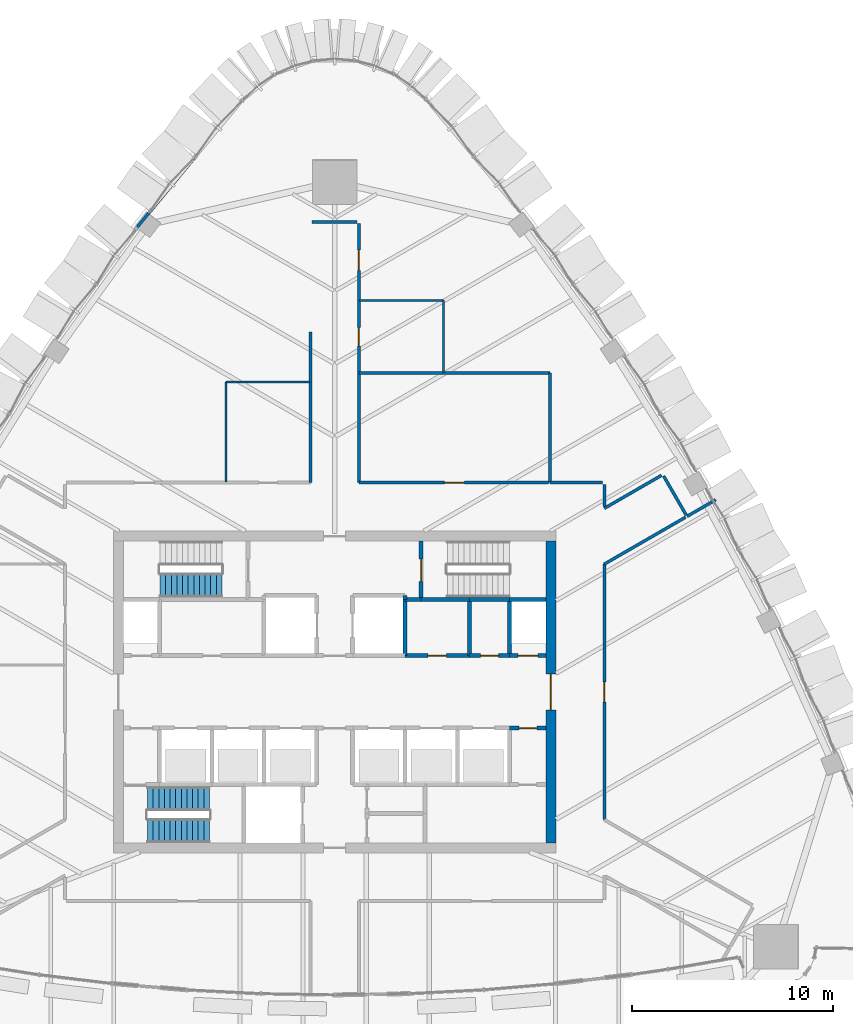
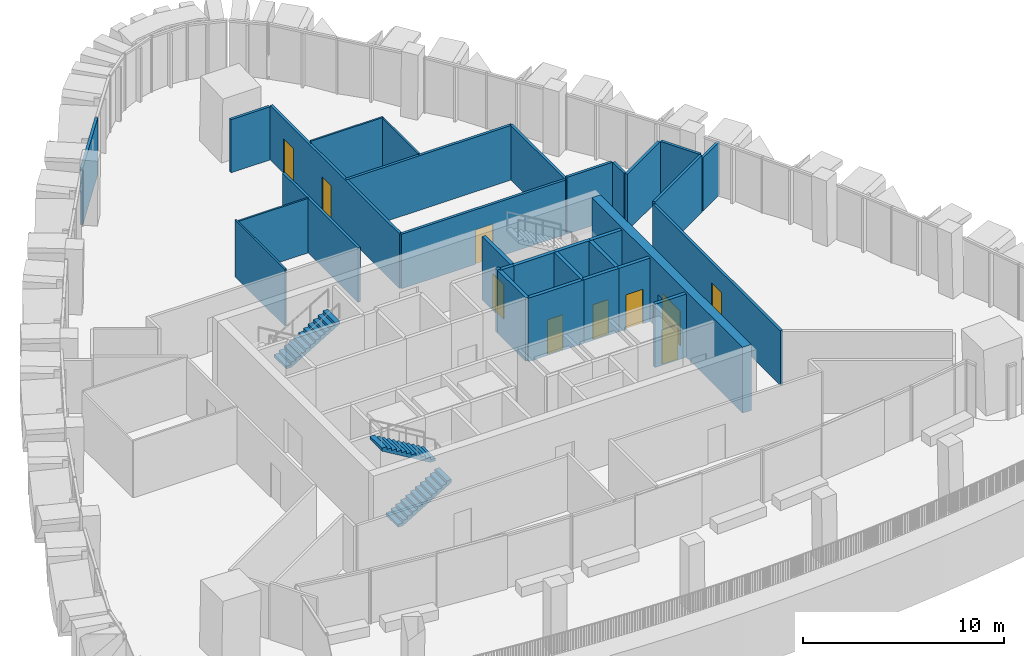
# One storey, part 15 of 22: 32 walls, 10 doors, 3 stair flights, 10 openings, 2 elements without a shape of their own.
"""IFC4 building model written with IfcOpenShell, lengths in metres."""

from ifc_helpers import new_model, si_unit, direction, frame, frame_2d, origin, place, context, subcontext, project, spatial, polyline, rectangle, outline, extrude, material, layer, layer_set, type_object, element, fill, aggregate, save


model = new_model("IFC4")

# Units and contexts
model_context = context("Model", 3, precision=1e-05, world=origin(), true_north=direction((0.0, 1.0)))
body_context = subcontext(model_context, "Body", "Model", "MODEL_VIEW")
ifc_project = project(units=[si_unit("LENGTHUNIT", "METRE"), si_unit("AREAUNIT", "SQUARE_METRE"), si_unit("VOLUMEUNIT", "CUBIC_METRE"), si_unit("PLANEANGLEUNIT", "RADIAN"), si_unit("MASSUNIT", "GRAM", prefix="KILO")], contexts=[model_context])

# Site, building, storey
site_placement = place(None, origin())
site = spatial("IfcSite", under=ifc_project, at=site_placement, CompositionType="ELEMENT")
building_placement = place(site_placement, origin())
building = spatial("IfcBuilding", under=site, at=building_placement, Name="Sierra Prisma Convention Tower", CompositionType="ELEMENT")
storey_placement = place(building_placement, frame((0.0, 0.0, 243.0)))
storey = spatial("IfcBuildingStorey", under=building, at=storey_placement, Name="L54", CompositionType="ELEMENT", Elevation=243.0)

# Walls
ifc_material_1 = material(Name="Gypsum board partition", Category="gypsum")
ifc_layer_1 = layer(ifc_material_1, 0.10009765625)
ifc_layer_set_1 = layer_set([ifc_layer_1], Name="Bathroom partition 100")
wall_type_1 = type_object("IfcWallType", Name="Bathroom partition 100", PredefinedType="PARTITIONING", material=ifc_layer_set_1)
wall_1_placement = place(storey_placement, frame((-5.39990234375, 10.429931640625, 0.0), z_axis=(0.0, 0.0, 1.0), x_axis=(0.0, 1.0, 0.0)))
element("IfcWall", 1, at=wall_1_placement, inside=storey, type_object=wall_type_1, Name="Partition L54 bath 4", PredefinedType="PARTITIONING", context=body_context, shape_type="SweptSolid", body=[
    extrude(rectangle(XDim=4.969970703125, YDim=0.10009765625, at=frame_2d((2.48486328125, 0.0))), origin(), (0.0, 0.0, 1.0), 3.449951171875),
])
wall_2_placement = place(storey_placement, frame((-5.39990234375, 15.39990234375, 0.0), z_axis=(0.0, 0.0, 1.0), x_axis=(1.0, 0.0, 0.0)))
element("IfcWall", 2, at=wall_2_placement, inside=storey, type_object=wall_type_1, Name="Partition L54 bath 5", PredefinedType="PARTITIONING", context=body_context, shape_type="SweptSolid", body=[
    extrude(rectangle(XDim=4.169921875, YDim=0.10009765625, at=frame_2d((2.0849609375, 0.0))), origin(), (0.0, 0.0, 1.0), 3.31689453125),
])
wall_3_placement = place(storey_placement, frame((1.22998046875, 19.45458984375, 0.0), z_axis=(0.0, 0.0, 1.0), x_axis=(1.0, 0.0, 0.0)))
element("IfcWall", 3, at=wall_3_placement, inside=storey, type_object=wall_type_1, Name="Partition L54 bath 6", PredefinedType="PARTITIONING", context=body_context, shape_type="SweptSolid", body=[
    extrude(rectangle(XDim=4.169921875, YDim=0.10009765625, at=frame_2d((2.0849609375, 0.0))), origin(), (0.0, 0.0, 1.0), 3.449951171875),
])
wall_4_placement = place(storey_placement, frame((5.39990234375, 19.45458984375, 0.0), z_axis=(0.0, 0.0, 1.0), x_axis=(0.0, -1.0, 0.0)))
element("IfcWall", 4, at=wall_4_placement, inside=storey, type_object=wall_type_1, Name="Partition L54 bath 7", PredefinedType="PARTITIONING", context=body_context, shape_type="SweptSolid", body=[
    extrude(rectangle(XDim=3.570068359375, YDim=0.10009765625, at=frame_2d((1.78515625, 0.0))), origin(), (0.0, 0.0, 1.0), 3.39306640625),
])
ifc_material_2 = material(Name="Concrete C30/37", Category="concrete")
ifc_layer_2 = layer(ifc_material_2, 0.199951171875)
ifc_layer_set_2 = layer_set([ifc_layer_2], Name="Core wall RC 200 C30/37")
wall_type_2 = type_object("IfcWallType", Name="Core wall RC 200 C30/37", PredefinedType="SOLIDWALL", material=ifc_layer_set_2)
wall_5_placement = place(storey_placement, frame((3.5, 4.60009765625, 0.0), z_axis=(0.0, 0.0, 1.0), x_axis=(0.0, 1.0, 0.0)))
element("IfcWall", 5, at=wall_5_placement, inside=storey, type_object=wall_type_2, Name="Core wall L54 35", PredefinedType="SOLIDWALL", context=body_context, shape_type="SweptSolid", body=[
    extrude(rectangle(XDim=0.199951171875, YDim=0.199951171875, at=frame_2d((0.10009765625, 0.0))), origin(), (0.0, 0.0, 1.0), 3.85009765625),
])

# Wall, opening, door
wall_6_placement = place(storey_placement, frame((3.5, 1.800048828125, 0.0), z_axis=(0.0, 0.0, 1.0), x_axis=(1.0, 0.0, 0.0)))
wall_6 = element("IfcWall", 6, at=wall_6_placement, inside=storey, type_object=wall_type_2, Name="Core wall L54 45", PredefinedType="SOLIDWALL", context=body_context, shape_type="SweptSolid", body=[
    extrude(rectangle(XDim=3.199951171875, YDim=0.199951171875, at=frame_2d((1.60009765625, 0.0))), origin(), (0.0, 0.0, 1.0), 3.85009765625),
])
opening_1_placement = place(wall_6_placement, frame((1.14990234375, 0.0, 0.0)))
opening_1 = element("IfcOpeningElement", 7, at=opening_1_placement, cuts=wall_6, Name="Opening L54-D021", PredefinedType="OPENING", context=body_context, shape_type="SweptSolid", body=[
    extrude(rectangle(XDim=0.89990234375, YDim=2.10009765625, at=frame_2d((0.449951171875, 1.050048828125))), frame((0.0, 0.10009765625, 0.0), z_axis=(0.0, -1.0, 0.0), x_axis=(1.0, 0.0, 0.0)), (0.0, 0.0, 1.0), 0.199951171875),
])
ifc_material_3 = material(Name="Steel fire door leaf", Category="steel")
door_type_1 = type_object("IfcDoorType", Name="Door 900x2100 FD30S", OperationType="SINGLE_SWING_LEFT", PredefinedType="DOOR", material=ifc_material_3)
door_1_placement = place(opening_1_placement, origin())
door_1 = element("IfcDoor", 8, at=door_1_placement, inside=storey, type_object=door_type_1, Name="Door L54 28", OperationType="SINGLE_SWING_RIGHT", OverallHeight=2.10009765625, OverallWidth=0.89990234375, PredefinedType="DOOR", context=body_context, shape_type="SweptSolid", body=[
    extrude(rectangle(XDim=0.89990234375, YDim=2.10009765625, at=frame_2d((0.449951171875, 1.050048828125))), frame((0.0, 0.02490234375, 0.0), z_axis=(0.0, -1.0, 0.0), x_axis=(1.0, 0.0, 0.0)), (0.0, 0.0, 1.0), 0.050048828125),
])
fill(opening_1, door_1)

# Walls
wall_7_placement = place(storey_placement, frame((3.5, 4.60009765625, 0.0), z_axis=(0.0, 0.0, 1.0), x_axis=(0.0, -1.0, 0.0)))
element("IfcWall", 9, at=wall_7_placement, inside=storey, type_object=wall_type_2, Name="Core wall L54 46", PredefinedType="SOLIDWALL", context=body_context, shape_type="SweptSolid", body=[
    extrude(rectangle(XDim=2.800048828125, YDim=0.199951171875, at=frame_2d((1.39990234375, 0.0))), origin(), (0.0, 0.0, 1.0), 3.85009765625),
])
wall_8_placement = place(storey_placement, frame((4.300048828125, 4.60009765625, 0.0), z_axis=(0.0, 0.0, 1.0), x_axis=(-1.0, 0.0, 0.0)))
element("IfcWall", 10, at=wall_8_placement, inside=storey, type_object=wall_type_2, Name="Core wall L54 47", PredefinedType="SOLIDWALL", context=body_context, shape_type="SweptSolid", body=[
    extrude(rectangle(XDim=0.800048828125, YDim=0.199951171875, at=frame_2d((0.39990234375, 0.0))), origin(), (0.0, 0.0, 1.0), 3.85009765625),
])
wall_9_placement = place(storey_placement, frame((6.699951171875, 4.60009765625, 0.0), z_axis=(0.0, 0.0, 1.0), x_axis=(-1.0, 0.0, 0.0)))
element("IfcWall", 11, at=wall_9_placement, inside=storey, type_object=wall_type_2, Name="Core wall L54 48", PredefinedType="SOLIDWALL", context=body_context, shape_type="SweptSolid", body=[
    extrude(rectangle(XDim=2.39990234375, YDim=0.199951171875, at=frame_2d((1.199951171875, 0.0))), origin(), (0.0, 0.0, 1.0), 3.85009765625),
])

# Wall, opening, door
wall_10_placement = place(storey_placement, frame((4.300048828125, 7.5, 0.0), z_axis=(0.0, 0.0, 1.0), x_axis=(0.0, -1.0, 0.0)))
wall_10 = element("IfcWall", 12, at=wall_10_placement, inside=storey, type_object=wall_type_2, Name="Core wall L54 49", PredefinedType="SOLIDWALL", context=body_context, shape_type="SweptSolid", body=[
    extrude(rectangle(XDim=2.89990234375, YDim=0.199951171875, at=frame_2d((1.449951171875, 0.0))), origin(), (0.0, 0.0, 1.0), 3.85009765625),
])
opening_2_placement = place(wall_10_placement, frame((0.89990234375, 0.0, 0.0)))
opening_2 = element("IfcOpeningElement", 13, at=opening_2_placement, cuts=wall_10, Name="Opening L54-D020", PredefinedType="OPENING", context=body_context, shape_type="SweptSolid", body=[
    extrude(rectangle(XDim=1.10009765625, YDim=2.10009765625, at=frame_2d((0.550048828125, 1.050048828125))), frame((0.0, 0.10009765625, 0.0), z_axis=(0.0, -1.0, 0.0), x_axis=(1.0, 0.0, 0.0)), (0.0, 0.0, 1.0), 0.199951171875),
])
ifc_material_4 = material(Name="Steel fire door leaf", Category="steel")
door_type_2 = type_object("IfcDoorType", Name="Door 1100x2100 FD90S", OperationType="SINGLE_SWING_LEFT", PredefinedType="DOOR", material=ifc_material_4)
door_2_placement = place(opening_2_placement, origin())
door_2 = element("IfcDoor", 14, at=door_2_placement, inside=storey, type_object=door_type_2, Name="Door L54 27", OperationType="SINGLE_SWING_RIGHT", OverallHeight=2.10009765625, OverallWidth=1.10009765625, PredefinedType="DOOR", context=body_context, shape_type="SweptSolid", body=[
    extrude(rectangle(XDim=1.10009765625, YDim=2.10009765625, at=frame_2d((0.550048828125, 1.050048828125))), frame((0.0, 0.02490234375, 0.0), z_axis=(0.0, -1.0, 0.0), x_axis=(1.0, 0.0, 0.0)), (0.0, 0.0, 1.0), 0.050048828125),
])
fill(opening_2, door_2)

wall_11_placement = place(storey_placement, frame((6.699951171875, 1.800048828125, 0.0), z_axis=(0.0, 0.0, 1.0), x_axis=(1.0, 0.0, 0.0)))
wall_11 = element("IfcWall", 15, at=wall_11_placement, inside=storey, type_object=wall_type_2, Name="Core wall L54 56", PredefinedType="SOLIDWALL", context=body_context, shape_type="SweptSolid", body=[
    extrude(rectangle(XDim=2.0, YDim=0.199951171875, at=frame_2d((1.0, 0.0))), origin(), (0.0, 0.0, 1.0), 3.85009765625),
])
opening_3_placement = place(wall_11_placement, frame((0.550048828125, 0.0, 0.0)))
opening_3 = element("IfcOpeningElement", 16, at=opening_3_placement, cuts=wall_11, Name="Opening L54-D022", PredefinedType="OPENING", context=body_context, shape_type="SweptSolid", body=[
    extrude(rectangle(XDim=0.89990234375, YDim=2.10009765625, at=frame_2d((0.449951171875, 1.050048828125))), frame((0.0, 0.10009765625, 0.0), z_axis=(0.0, -1.0, 0.0), x_axis=(1.0, 0.0, 0.0)), (0.0, 0.0, 1.0), 0.199951171875),
])
door_3_placement = place(opening_3_placement, origin())
door_3 = element("IfcDoor", 17, at=door_3_placement, inside=storey, type_object=door_type_1, Name="Door L54 29", OperationType="SINGLE_SWING_RIGHT", OverallHeight=2.10009765625, OverallWidth=0.89990234375, PredefinedType="DOOR", context=body_context, shape_type="SweptSolid", body=[
    extrude(rectangle(XDim=0.89990234375, YDim=2.10009765625, at=frame_2d((0.449951171875, 1.050048828125))), frame((0.0, 0.02490234375, 0.0), z_axis=(0.0, -1.0, 0.0), x_axis=(1.0, 0.0, 0.0)), (0.0, 0.0, 1.0), 0.050048828125),
])
fill(opening_3, door_3)

# Walls
wall_12_placement = place(storey_placement, frame((6.699951171875, 1.800048828125, 0.0), z_axis=(0.0, 0.0, 1.0), x_axis=(0.0, 1.0, 0.0)))
element("IfcWall", 18, at=wall_12_placement, inside=storey, type_object=wall_type_2, Name="Core wall L54 57", PredefinedType="SOLIDWALL", context=body_context, shape_type="SweptSolid", body=[
    extrude(rectangle(XDim=2.800048828125, YDim=0.199951171875, at=frame_2d((1.39990234375, 0.0))), origin(), (0.0, 0.0, 1.0), 3.85009765625),
])
wall_13_placement = place(storey_placement, frame((8.699951171875, 4.60009765625, 0.0), z_axis=(0.0, 0.0, 1.0), x_axis=(-1.0, 0.0, 0.0)))
element("IfcWall", 19, at=wall_13_placement, inside=storey, type_object=wall_type_2, Name="Core wall L54 58", PredefinedType="SOLIDWALL", context=body_context, shape_type="SweptSolid", body=[
    extrude(rectangle(XDim=2.0, YDim=0.199951171875, at=frame_2d((1.0, 0.0))), origin(), (0.0, 0.0, 1.0), 3.85009765625),
])

# Wall, opening, door
wall_14_placement = place(storey_placement, frame((8.699951171875, -1.800048828125, 0.0), z_axis=(0.0, 0.0, 1.0), x_axis=(1.0, 0.0, 0.0)))
wall_14 = element("IfcWall", 20, at=wall_14_placement, inside=storey, type_object=wall_type_2, Name="Core wall L54 61", PredefinedType="SOLIDWALL", context=body_context, shape_type="SweptSolid", body=[
    extrude(rectangle(XDim=1.800048828125, YDim=0.199951171875, at=frame_2d((0.89990234375, 0.0))), origin(), (0.0, 0.0, 1.0), 3.85009765625),
])
opening_4_placement = place(wall_14_placement, frame((0.449951171875, 0.0, 0.0)))
opening_4 = element("IfcOpeningElement", 21, at=opening_4_placement, cuts=wall_14, Name="Opening L54-D025", PredefinedType="OPENING", context=body_context, shape_type="SweptSolid", body=[
    extrude(rectangle(XDim=0.89990234375, YDim=2.10009765625, at=frame_2d((0.449951171875, 1.050048828125))), frame((0.0, 0.10009765625, 0.0), z_axis=(0.0, -1.0, 0.0), x_axis=(1.0, 0.0, 0.0)), (0.0, 0.0, 1.0), 0.199951171875),
])
door_4_placement = place(opening_4_placement, origin())
door_4 = element("IfcDoor", 22, at=door_4_placement, inside=storey, type_object=door_type_1, Name="Door L54 32", OperationType="SINGLE_SWING_LEFT", OverallHeight=2.10009765625, OverallWidth=0.89990234375, PredefinedType="DOOR", context=body_context, shape_type="SweptSolid", body=[
    extrude(rectangle(XDim=0.89990234375, YDim=2.10009765625, at=frame_2d((0.449951171875, 1.050048828125))), frame((0.0, 0.02490234375, 0.0), z_axis=(0.0, -1.0, 0.0), x_axis=(1.0, 0.0, 0.0)), (0.0, 0.0, 1.0), 0.050048828125),
])
fill(opening_4, door_4)

wall_15_placement = place(storey_placement, frame((10.5, 1.800048828125, 0.0), z_axis=(0.0, 0.0, 1.0), x_axis=(-1.0, 0.0, 0.0)))
wall_15 = element("IfcWall", 23, at=wall_15_placement, inside=storey, type_object=wall_type_2, Name="Core wall L54 62", PredefinedType="SOLIDWALL", context=body_context, shape_type="SweptSolid", body=[
    extrude(rectangle(XDim=1.800048828125, YDim=0.199951171875, at=frame_2d((0.89990234375, 0.0))), origin(), (0.0, 0.0, 1.0), 3.85009765625),
])
opening_5_placement = place(wall_15_placement, frame((0.39990234375, 0.0, 0.0)))
opening_5 = element("IfcOpeningElement", 24, at=opening_5_placement, cuts=wall_15, Name="Opening L54-D017", PredefinedType="OPENING", context=body_context, shape_type="SweptSolid", body=[
    extrude(rectangle(XDim=1.0, YDim=2.10009765625, at=frame_2d((0.5, 1.050048828125))), frame((0.0, 0.10009765625, 0.0), z_axis=(0.0, -1.0, 0.0), x_axis=(1.0, 0.0, 0.0)), (0.0, 0.0, 1.0), 0.199951171875),
])
ifc_material_5 = material(Name="Steel fire door leaf", Category="steel")
door_type_3 = type_object("IfcDoorType", Name="Door 1000x2100 FD60S", OperationType="SINGLE_SWING_LEFT", PredefinedType="DOOR", material=ifc_material_5)
door_5_placement = place(opening_5_placement, origin())
door_5 = element("IfcDoor", 25, at=door_5_placement, inside=storey, type_object=door_type_3, Name="Door L54 24", OperationType="SINGLE_SWING_RIGHT", OverallHeight=2.10009765625, OverallWidth=1.0, PredefinedType="DOOR", context=body_context, shape_type="SweptSolid", body=[
    extrude(rectangle(XDim=1.0, YDim=2.10009765625, at=frame_2d((0.5, 1.050048828125))), frame((0.0, 0.02490234375, 0.0), z_axis=(0.0, -1.0, 0.0), x_axis=(1.0, 0.0, 0.0)), (0.0, 0.0, 1.0), 0.050048828125),
])
fill(opening_5, door_5)

# Walls
wall_16_placement = place(storey_placement, frame((8.699951171875, 1.800048828125, 0.0), z_axis=(0.0, 0.0, 1.0), x_axis=(0.0, 1.0, 0.0)))
element("IfcWall", 26, at=wall_16_placement, inside=storey, type_object=wall_type_2, Name="Core wall L54 63", PredefinedType="SOLIDWALL", context=body_context, shape_type="SweptSolid", body=[
    extrude(rectangle(XDim=2.800048828125, YDim=0.199951171875, at=frame_2d((1.39990234375, 0.0))), origin(), (0.0, 0.0, 1.0), 3.85009765625),
])
wall_17_placement = place(storey_placement, frame((10.5, 4.60009765625, 0.0), z_axis=(0.0, 0.0, 1.0), x_axis=(-1.0, 0.0, 0.0)))
element("IfcWall", 27, at=wall_17_placement, inside=storey, type_object=wall_type_2, Name="Core wall L54 64", PredefinedType="SOLIDWALL", context=body_context, shape_type="SweptSolid", body=[
    extrude(rectangle(XDim=1.800048828125, YDim=0.199951171875, at=frame_2d((0.89990234375, 0.0))), origin(), (0.0, 0.0, 1.0), 3.85009765625),
])

# Wall, opening, door
ifc_material_6 = material(Name="Concrete C50/60", Category="concrete")
ifc_layer_3 = layer(ifc_material_6, 0.5)
ifc_layer_set_3 = layer_set([ifc_layer_3], Name="Core wall RC 500 C50/60")
wall_type_3 = type_object("IfcWallType", Name="Core wall RC 500 C50/60", PredefinedType="SHEAR", material=ifc_layer_set_3)
wall_18_placement = place(storey_placement, frame((10.75, -7.5, 0.0), z_axis=(0.0, 0.0, 1.0), x_axis=(0.0, 1.0, 0.0)))
wall_18 = element("IfcWall", 28, at=wall_18_placement, inside=storey, type_object=wall_type_3, Name="Core wall E L54", PredefinedType="SHEAR", context=body_context, shape_type="SweptSolid", body=[
    extrude(rectangle(XDim=15.0, YDim=0.5, at=frame_2d((7.5, 0.0))), origin(), (0.0, 0.0, 1.0), 4.0),
])
opening_6_placement = place(wall_18_placement, frame((6.60009765625, 0.0, 0.0)))
opening_6 = element("IfcOpeningElement", 29, at=opening_6_placement, cuts=wall_18, Name="Opening L54-D038", PredefinedType="OPENING", context=body_context, shape_type="SweptSolid", body=[
    extrude(rectangle(XDim=1.800048828125, YDim=2.10009765625, at=frame_2d((0.89990234375, 1.050048828125))), frame((0.0, 0.25, 0.0), z_axis=(0.0, -1.0, 0.0), x_axis=(1.0, 0.0, 0.0)), (0.0, 0.0, 1.0), 0.5),
])
ifc_material_7 = material(Name="Steel fire door leaf", Category="steel")
door_type_4 = type_object("IfcDoorType", Name="Door 1800x2100 FD60S", OperationType="DOUBLE_DOOR_SINGLE_SWING", PredefinedType="DOOR", material=ifc_material_7)
door_6_placement = place(opening_6_placement, origin())
door_6 = element("IfcDoor", 30, at=door_6_placement, inside=storey, type_object=door_type_4, Name="Door L54 36", OperationType="DOUBLE_DOOR_SINGLE_SWING", OverallHeight=2.10009765625, OverallWidth=1.800048828125, PredefinedType="DOOR", context=body_context, shape_type="SweptSolid", body=[
    extrude(rectangle(XDim=1.800048828125, YDim=2.10009765625, at=frame_2d((0.89990234375, 1.050048828125))), frame((0.0, 0.02490234375, 0.0), z_axis=(0.0, -1.0, 0.0), x_axis=(1.0, 0.0, 0.0)), (0.0, 0.0, 1.0), 0.050048828125),
])
fill(opening_6, door_6)

# Walls
ifc_material_8 = material(Name="Gypsum board partition", Category="gypsum")
ifc_layer_4 = layer(ifc_material_8, 0.14990234375)
ifc_layer_set_4 = layer_set([ifc_layer_4], Name="Corridor wall 150 gypsum EI 60")
wall_type_4 = type_object("IfcWallType", Name="Corridor wall 150 gypsum EI 60", PredefinedType="PARTITIONING", material=ifc_layer_set_4)
wall_19_placement = place(storey_placement, frame((-1.199951171875, 17.89990234375, 0.0), z_axis=(0.0, 0.0, 1.0), x_axis=(0.0, -1.0, 0.0)))
element("IfcWall", 31, at=wall_19_placement, inside=storey, type_object=wall_type_4, Name="Partition L54 corr 12", PredefinedType="PARTITIONING", context=body_context, shape_type="SweptSolid", body=[
    extrude(rectangle(XDim=7.5, YDim=0.14990234375, at=frame_2d((3.75, 0.0))), origin(), (0.0, 0.0, 1.0), 3.31689453125),
])
wall_20_placement = place(storey_placement, frame((1.1201171875, 23.3544921875, 0.0), z_axis=(0.0, 0.0, 1.0), x_axis=(-1.0, 0.0, 0.0)))
element("IfcWall", 32, at=wall_20_placement, inside=storey, type_object=wall_type_4, Name="Partition L54 corr 14", PredefinedType="PARTITIONING", context=body_context, shape_type="SweptSolid", body=[
    extrude(rectangle(XDim=2.240234375, YDim=0.14990234375, at=frame_2d((1.1201171875, 0.0))), origin(), (0.0, 0.0, 1.0), 3.23291015625),
])

# Wall, opening, door
wall_21_placement = place(storey_placement, frame((10.6201171875, 10.39990234375, 0.0), z_axis=(0.0, 0.0, 1.0), x_axis=(-1.0, 0.0, 0.0)))
wall_21 = element("IfcWall", 33, at=wall_21_placement, inside=storey, type_object=wall_type_4, Name="Partition L54 corr 17", PredefinedType="PARTITIONING", context=body_context, shape_type="SweptSolid", body=[
    extrude(rectangle(XDim=9.420166015625, YDim=0.14990234375, at=frame_2d((4.7099609375, 0.0))), origin(), (0.0, 0.0, 1.0), 3.31689453125),
])
opening_7_placement = place(wall_21_placement, frame((4.169921875, 0.0, 0.0)))
opening_7 = element("IfcOpeningElement", 34, at=opening_7_placement, cuts=wall_21, Name="Opening L54-D028", PredefinedType="OPENING", context=body_context, shape_type="SweptSolid", body=[
    extrude(rectangle(XDim=1.0, YDim=2.10009765625, at=frame_2d((0.5, 1.050048828125))), frame((0.0, 0.074951171875, 0.0), z_axis=(0.0, -1.0, 0.0), x_axis=(1.0, 0.0, 0.0)), (0.0, 0.0, 1.0), 0.14990234375),
])
ifc_material_9 = material(Name="Steel fire door leaf", Category="steel")
door_type_5 = type_object("IfcDoorType", Name="Door 1000x2100 FD30S", OperationType="SINGLE_SWING_LEFT", PredefinedType="DOOR", material=ifc_material_9)
door_7_placement = place(opening_7_placement, origin())
door_7 = element("IfcDoor", 35, at=door_7_placement, inside=storey, type_object=door_type_5, Name="Door L54 1", OperationType="SINGLE_SWING_LEFT", OverallHeight=2.10009765625, OverallWidth=1.0, PredefinedType="DOOR", context=body_context, shape_type="SweptSolid", body=[
    extrude(rectangle(XDim=1.0, YDim=2.10009765625, at=frame_2d((0.5, 1.050048828125))), frame((0.0, 0.02490234375, 0.0), z_axis=(0.0, -1.0, 0.0), x_axis=(1.0, 0.0, 0.0)), (0.0, 0.0, 1.0), 0.050048828125),
])
fill(opening_7, door_7)

# Wall, openings, doors
wall_22_placement = place(storey_placement, frame((1.199951171875, 10.39990234375, 0.0), z_axis=(0.0, 0.0, 1.0), x_axis=(0.0, 1.0, 0.0)))
wall_22 = element("IfcWall", 36, at=wall_22_placement, inside=storey, type_object=wall_type_4, Name="Partition L54 corr 18", PredefinedType="PARTITIONING", context=body_context, shape_type="SweptSolid", body=[
    extrude(rectangle(XDim=12.87451171875, YDim=0.14990234375, at=frame_2d((6.437255859375, 0.0))), origin(), (0.0, 0.0, 1.0), 3.31689453125),
])
opening_8_placement = place(wall_22_placement, frame((6.804443359375, 0.0, 0.0)))
opening_8 = element("IfcOpeningElement", 37, at=opening_8_placement, cuts=wall_22, Name="Opening L54-D029", PredefinedType="OPENING", context=body_context, shape_type="SweptSolid", body=[
    extrude(rectangle(XDim=0.89990234375, YDim=2.10009765625, at=frame_2d((0.449951171875, 1.050048828125))), frame((0.0, 0.074951171875, 0.0), z_axis=(0.0, -1.0, 0.0), x_axis=(1.0, 0.0, 0.0)), (0.0, 0.0, 1.0), 0.14990234375),
])
opening_9_placement = place(wall_22_placement, frame((10.554443359375, 0.0, 0.0)))
opening_9 = element("IfcOpeningElement", 38, at=opening_9_placement, cuts=wall_22, Name="Opening L54-D030", PredefinedType="OPENING", context=body_context, shape_type="SweptSolid", body=[
    extrude(rectangle(XDim=1.0, YDim=2.10009765625, at=frame_2d((0.5, 1.050048828125))), frame((0.0, 0.074951171875, 0.0), z_axis=(0.0, -1.0, 0.0), x_axis=(1.0, 0.0, 0.0)), (0.0, 0.0, 1.0), 0.14990234375),
])
door_8_placement = place(opening_9_placement, origin())
door_8 = element("IfcDoor", 39, at=door_8_placement, inside=storey, type_object=door_type_5, Name="Door L54 3", OperationType="SINGLE_SWING_RIGHT", OverallHeight=2.10009765625, OverallWidth=1.0, PredefinedType="DOOR", context=body_context, shape_type="SweptSolid", body=[
    extrude(rectangle(XDim=1.0, YDim=2.10009765625, at=frame_2d((0.5, 1.050048828125))), frame((0.0, 0.02490234375, 0.0), z_axis=(0.0, -1.0, 0.0), x_axis=(1.0, 0.0, 0.0)), (0.0, 0.0, 1.0), 0.050048828125),
])
fill(opening_9, door_8)
door_9_placement = place(opening_8_placement, origin())
door_9 = element("IfcDoor", 40, at=door_9_placement, inside=storey, type_object=door_type_1, Name="Door L54 2", OperationType="SINGLE_SWING_LEFT", OverallHeight=2.10009765625, OverallWidth=0.89990234375, PredefinedType="DOOR", context=body_context, shape_type="SweptSolid", body=[
    extrude(rectangle(XDim=0.89990234375, YDim=2.10009765625, at=frame_2d((0.449951171875, 1.050048828125))), frame((0.0, 0.02490234375, 0.0), z_axis=(0.0, -1.0, 0.0), x_axis=(1.0, 0.0, 0.0)), (0.0, 0.0, 1.0), 0.050048828125),
])
fill(opening_8, door_9)

# Walls
wall_23_placement = place(storey_placement, frame((13.320068359375, 10.39990234375, 0.0), z_axis=(0.0, 0.0, 1.0), x_axis=(-1.0, 0.0, 0.0)))
element("IfcWall", 41, at=wall_23_placement, inside=storey, type_object=wall_type_4, Name="Partition L54 corr 19", PredefinedType="PARTITIONING", context=body_context, shape_type="SweptSolid", body=[
    extrude(rectangle(XDim=2.6201171875, YDim=0.14990234375, at=frame_2d((1.31005859375, 0.0))), origin(), (0.0, 0.0, 1.0), 3.449951171875),
])
wall_24_placement = place(storey_placement, frame((16.240478515625, 10.76220703125, 0.0), z_axis=(0.0, 0.0, 1.0), x_axis=(-0.866008333849, -0.50002956483, 0.0)))
element("IfcWall", 42, at=wall_24_placement, inside=storey, type_object=wall_type_4, Name="Partition L54 corr 22", PredefinedType="PARTITIONING", context=body_context, shape_type="SweptSolid", body=[
    extrude(rectangle(XDim=3.280029296875, YDim=0.14990234375, at=frame_2d((1.64013671875, 0.0))), origin(), (0.0, 0.0, 1.0), 3.449951171875),
])
wall_25_placement = place(storey_placement, frame((13.39990234375, 9.213623046875, 0.0), z_axis=(0.0, 0.0, 1.0), x_axis=(0.0, 1.0, 0.0)))
element("IfcWall", 43, at=wall_25_placement, inside=storey, type_object=wall_type_4, Name="Partition L54 corr 23", PredefinedType="PARTITIONING", context=body_context, shape_type="SweptSolid", body=[
    extrude(rectangle(XDim=1.1064453125, YDim=0.14990234375, at=frame_2d((0.55322265625, 0.0))), origin(), (0.0, 0.0, 1.0), 3.449951171875),
])
wall_26_placement = place(storey_placement, frame((17.4697265625, 8.79296875, 0.0), z_axis=(0.0, 0.0, 1.0), x_axis=(-0.49994888933, 0.866054910533, 0.0)))
element("IfcWall", 44, at=wall_26_placement, inside=storey, type_object=wall_type_4, Name="Partition L54 corr 24", PredefinedType="PARTITIONING", context=body_context, shape_type="SweptSolid", body=[
    extrude(rectangle(XDim=2.239990234375, YDim=0.14990234375, at=frame_2d((1.1201171875, 0.0))), origin(), (0.0, 0.0, 1.0), 3.449951171875),
])

# Wall, opening, door
wall_27_placement = place(storey_placement, frame((13.39990234375, -6.350830078125, 0.0), z_axis=(0.0, 0.0, 1.0), x_axis=(0.0, 1.0, 0.0)))
wall_27 = element("IfcWall", 45, at=wall_27_placement, inside=storey, type_object=wall_type_4, Name="Partition L54 corr 26", PredefinedType="PARTITIONING", context=body_context, shape_type="SweptSolid", body=[
    extrude(rectangle(XDim=12.70166015625, YDim=0.14990234375, at=frame_2d((6.350830078125, 0.0))), origin(), (0.0, 0.0, 1.0), 3.31689453125),
])
opening_10_placement = place(wall_27_placement, frame((5.850830078125, 0.0, 0.0)))
opening_10 = element("IfcOpeningElement", 46, at=opening_10_placement, cuts=wall_27, Name="Opening L54-D037", PredefinedType="OPENING", context=body_context, shape_type="SweptSolid", body=[
    extrude(rectangle(XDim=1.0, YDim=2.10009765625, at=frame_2d((0.5, 1.050048828125))), frame((0.0, 0.074951171875, 0.0), z_axis=(0.0, -1.0, 0.0), x_axis=(1.0, 0.0, 0.0)), (0.0, 0.0, 1.0), 0.14990234375),
])
door_10_placement = place(opening_10_placement, origin())
door_10 = element("IfcDoor", 47, at=door_10_placement, inside=storey, type_object=door_type_5, Name="Door L54 10", OperationType="SINGLE_SWING_RIGHT", OverallHeight=2.10009765625, OverallWidth=1.0, PredefinedType="DOOR", context=body_context, shape_type="SweptSolid", body=[
    extrude(rectangle(XDim=1.0, YDim=2.10009765625, at=frame_2d((0.5, 1.050048828125))), frame((0.0, 0.02490234375, 0.0), z_axis=(0.0, -1.0, 0.0), x_axis=(1.0, 0.0, 0.0)), (0.0, 0.0, 1.0), 0.050048828125),
])
fill(opening_10, door_10)

# Walls
wall_28_placement = place(storey_placement, frame((13.39990234375, 6.350830078125, 0.0), z_axis=(0.0, 0.0, 1.0), x_axis=(0.866028733576, 0.499994232587, 0.0)))
element("IfcWall", 48, at=wall_28_placement, inside=storey, type_object=wall_type_4, Name="Partition L54 corr 27", PredefinedType="PARTITIONING", context=body_context, shape_type="SweptSolid", body=[
    extrude(rectangle(XDim=4.66552734375, YDim=0.14990234375, at=frame_2d((2.332763671875, 0.0))), origin(), (0.0, 0.0, 1.0), 3.449951171875),
])
ifc_material_10 = material(Name="Gypsum board partition", Category="gypsum")
ifc_layer_5 = layer(ifc_material_10, 0.14990234375)
ifc_layer_set_5 = layer_set([ifc_layer_5], Name="Party wall 150 gypsum")
wall_type_5 = type_object("IfcWallType", Name="Party wall 150 gypsum", PredefinedType="PARTITIONING", material=ifc_layer_set_5)
wall_29_placement = place(storey_placement, frame((-9.810546875, 23.103271484375, 0.0), z_axis=(0.0, 0.0, 1.0), x_axis=(0.637416052355, 0.77051980909, 0.0)))
element("IfcWall", 49, at=wall_29_placement, inside=storey, type_object=wall_type_5, Name="Partition L54 party 3", PredefinedType="PARTITIONING", context=body_context, shape_type="SweptSolid", body=[
    extrude(rectangle(XDim=4.447998046875, YDim=0.14990234375, at=frame_2d((2.22412109375, 0.0))), origin(), (0.0, 0.0, 1.0), 3.449951171875),
])
wall_30_placement = place(storey_placement, frame((1.199951171875, 15.8544921875, 0.0), z_axis=(0.0, 0.0, 1.0), x_axis=(1.0, 0.0, 0.0)))
element("IfcWall", 50, at=wall_30_placement, inside=storey, type_object=wall_type_5, Name="Partition L54 party 4", PredefinedType="PARTITIONING", context=body_context, shape_type="SweptSolid", body=[
    extrude(rectangle(XDim=9.5, YDim=0.14990234375, at=frame_2d((4.75, 0.0))), origin(), (0.0, 0.0, 1.0), 3.31689453125),
])
wall_31_placement = place(storey_placement, frame((10.699951171875, 15.8544921875, 0.0), z_axis=(0.0, 0.0, 1.0), x_axis=(0.0, -1.0, 0.0)))
element("IfcWall", 51, at=wall_31_placement, inside=storey, type_object=wall_type_5, Name="Partition L54 party 5", PredefinedType="PARTITIONING", context=body_context, shape_type="SweptSolid", body=[
    extrude(rectangle(XDim=5.45458984375, YDim=0.14990234375, at=frame_2d((2.727294921875, 0.0))), origin(), (0.0, 0.0, 1.0), 3.31689453125),
])
wall_32_placement = place(storey_placement, frame((18.9384765625, 9.548583984375, 0.0), z_axis=(0.0, 0.0, 1.0), x_axis=(-0.866003217194, -0.500038426333, 0.0)))
element("IfcWall", 52, at=wall_32_placement, inside=storey, type_object=wall_type_5, Name="Partition L54 party 6", PredefinedType="PARTITIONING", context=body_context, shape_type="SweptSolid", body=[
    extrude(rectangle(XDim=1.649658203125, YDim=0.14990234375, at=frame_2d((0.82470703125, 0.0))), origin(), (0.0, 0.0, 1.0), 3.23388671875),
])

# Stair, stair flights
ifc_material_11 = material(Name="Concrete C30/37", Category="concrete")
stair_type = type_object("IfcStairType", Name="Stair dog-leg 1200 RC", PredefinedType="HALF_TURN_STAIR", material=ifc_material_11)
stair_1_placement = place(storey_placement, origin())
stair_1 = element("IfcStair", 53, at=stair_1_placement, inside=storey, type_object=stair_type, Name="L54 S1", PredefinedType="HALF_TURN_STAIR")
ifc_material_12 = material(Name="Concrete C30/37", Category="concrete")
stair_flight_type = type_object("IfcStairFlightType", Name="Stair flight RC 1200", PredefinedType="STRAIGHT", material=ifc_material_12)
stair_flight_1_placement = place(storey_placement, frame((-9.300048828125, -6.89990234375, 0.0), z_axis=(0.0, 0.0, 1.0), x_axis=(1.0, 0.0, 0.0)))
stair_flight_1 = element("IfcStairFlight", 54, at=stair_flight_1_placement, type_object=stair_flight_type, Name="S1 flight 1", NumberOfRisers=12, NumberOfTreads=11, PredefinedType="STRAIGHT", RiserHeight=0.166666667, TreadLength=0.28, context=body_context, shape_type="SweptSolid", body=[
    extrude(outline(polyline([(0.0, 0.0), (0.0, 0.166748046875), (0.280029296875, 0.166748046875), (0.280029296875, 0.333251953125), (0.56005859375, 0.333251953125), (0.56005859375, 0.5), (0.840087890625, 0.5), (0.840087890625, 0.666748046875), (1.1201171875, 0.666748046875), (1.1201171875, 0.833251953125), (1.39990234375, 0.833251953125), (1.39990234375, 1.0), (1.679931640625, 1.0), (1.679931640625, 1.166748046875), (1.9599609375, 1.166748046875), (1.9599609375, 1.333251953125), (2.239990234375, 1.333251953125), (2.239990234375, 1.5), (2.52001953125, 1.5), (2.52001953125, 1.666748046875), (2.800048828125, 1.666748046875), (2.800048828125, 1.833251953125), (3.080078125, 1.833251953125), (3.080078125, 2.0), (3.080078125, 1.658935546875), (0.29296875, 0.0), (0.0, 0.0)])), frame((0.0, 0.60009765625, 0.0), z_axis=(0.0, -1.0, 0.0), x_axis=(1.0, 0.0, 0.0)), (0.0, 0.0, 1.0), 1.199951171875),
])
stair_flight_2_placement = place(storey_placement, frame((-6.219970703125, -5.300048828125, 2.0), z_axis=(0.0, 0.0, 1.0), x_axis=(-1.0, 0.0, 0.0)))
stair_flight_2 = element("IfcStairFlight", 55, at=stair_flight_2_placement, type_object=stair_flight_type, Name="S1 flight 2", NumberOfRisers=12, NumberOfTreads=11, PredefinedType="STRAIGHT", RiserHeight=0.166666667, TreadLength=0.28, context=body_context, shape_type="SweptSolid", body=[
    extrude(outline(polyline([(0.0, 0.0), (0.0, 0.166748046875), (0.280029296875, 0.166748046875), (0.280029296875, 0.333251953125), (0.56005859375, 0.333251953125), (0.56005859375, 0.5), (0.840087890625, 0.5), (0.840087890625, 0.666748046875), (1.1201171875, 0.666748046875), (1.1201171875, 0.833251953125), (1.39990234375, 0.833251953125), (1.39990234375, 1.0), (1.679931640625, 1.0), (1.679931640625, 1.166748046875), (1.9599609375, 1.166748046875), (1.9599609375, 1.333251953125), (2.239990234375, 1.333251953125), (2.239990234375, 1.5), (2.52001953125, 1.5), (2.52001953125, 1.666748046875), (2.800048828125, 1.666748046875), (2.800048828125, 1.833251953125), (3.080078125, 1.833251953125), (3.080078125, 2.0), (3.080078125, 1.658935546875), (0.29296875, 0.0), (0.0, 0.0)])), frame((0.0, 0.60009765625, 0.0), z_axis=(0.0, -1.0, 0.0), x_axis=(1.0, 0.0, 0.0)), (0.0, 0.0, 1.0), 1.199951171875),
])
aggregate(stair_1, [stair_flight_1, stair_flight_2])

# Stair, stair flight
stair_2_placement = place(storey_placement, origin())
stair_2 = element("IfcStair", 56, at=stair_2_placement, inside=storey, type_object=stair_type, Name="L54 S3", PredefinedType="HALF_TURN_STAIR")
stair_flight_3_placement = place(storey_placement, frame((-8.679931640625, 5.300048828125, 2.0), z_axis=(0.0, 0.0, 1.0), x_axis=(1.0, 0.0, 0.0)))
stair_flight_3 = element("IfcStairFlight", 57, at=stair_flight_3_placement, type_object=stair_flight_type, Name="S3 flight 2", NumberOfRisers=12, NumberOfTreads=11, PredefinedType="STRAIGHT", RiserHeight=0.166666667, TreadLength=0.28, context=body_context, shape_type="SweptSolid", body=[
    extrude(outline(polyline([(0.0, 0.0), (0.0, 0.166748046875), (0.280029296875, 0.166748046875), (0.280029296875, 0.333251953125), (0.56005859375, 0.333251953125), (0.56005859375, 0.5), (0.840087890625, 0.5), (0.840087890625, 0.666748046875), (1.1201171875, 0.666748046875), (1.1201171875, 0.833251953125), (1.39990234375, 0.833251953125), (1.39990234375, 1.0), (1.679931640625, 1.0), (1.679931640625, 1.166748046875), (1.9599609375, 1.166748046875), (1.9599609375, 1.333251953125), (2.239990234375, 1.333251953125), (2.239990234375, 1.5), (2.52001953125, 1.5), (2.52001953125, 1.666748046875), (2.800048828125, 1.666748046875), (2.800048828125, 1.833251953125), (3.080078125, 1.833251953125), (3.080078125, 2.0), (3.080078125, 1.658935546875), (0.29296875, 0.0), (0.0, 0.0)])), frame((0.0, 0.60009765625, 0.0), z_axis=(0.0, -1.0, 0.0), x_axis=(1.0, 0.0, 0.0)), (0.0, 0.0, 1.0), 1.199951171875),
])
aggregate(stair_2, [stair_flight_3])

save(model, "model.ifc")
